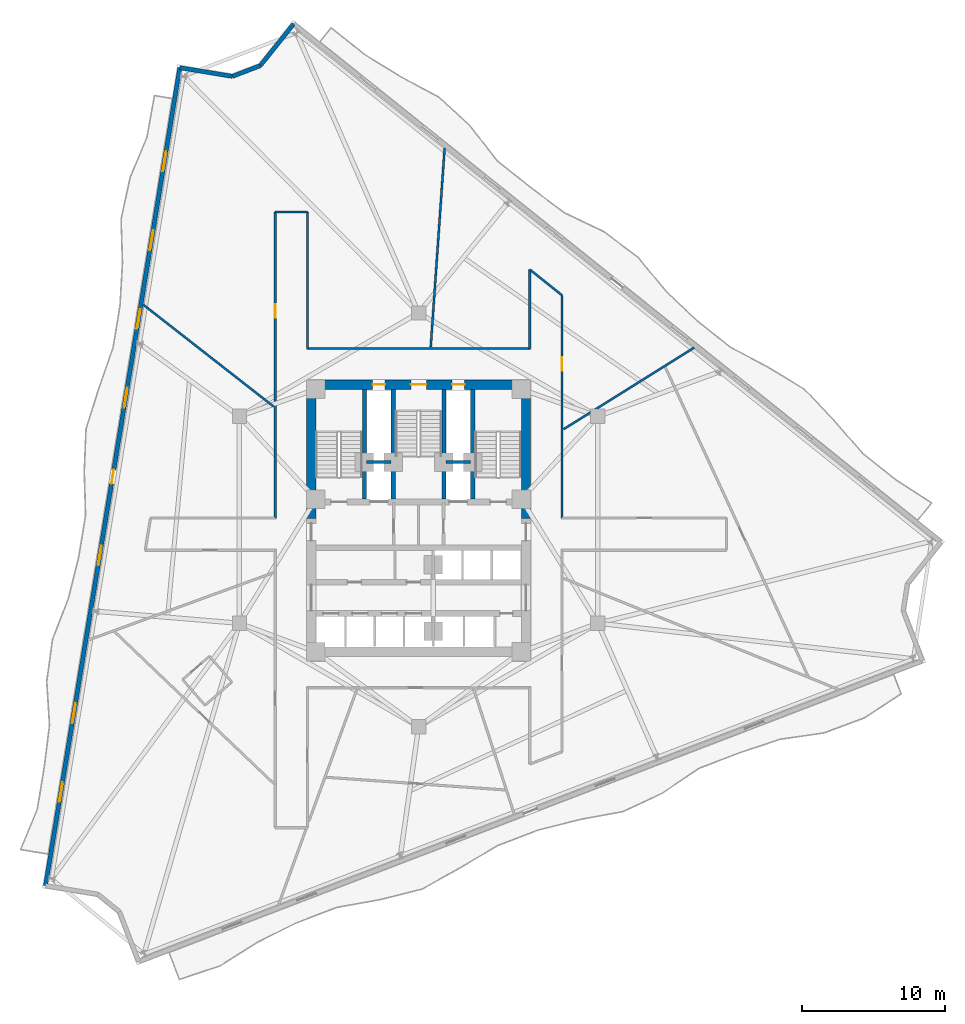
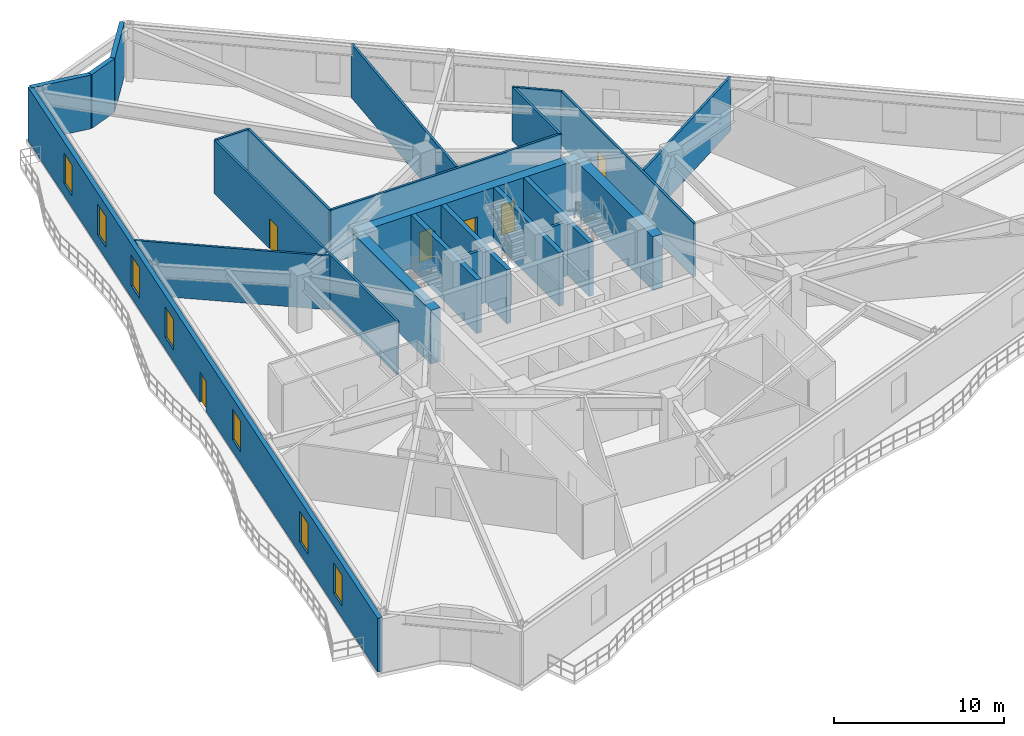
# One storey, part 6 of 11: 23 walls, 7 windows, 6 doors, 13 openings.
"""IFC4 building model written with IfcOpenShell, lengths in metres."""

from ifc_helpers import new_model, si_unit, direction, frame, frame_2d, origin, place, context, subcontext, project, spatial, rectangle, extrude, material, layer, layer_set, type_object, element, fill, save


model = new_model("IFC4")

# Units and contexts
model_context = context("Model", 3, precision=1e-05, world=origin(), true_north=direction((0.0, 1.0)))
body_context = subcontext(model_context, "Body", "Model", "MODEL_VIEW")
ifc_project = project(units=[si_unit("LENGTHUNIT", "METRE"), si_unit("AREAUNIT", "SQUARE_METRE"), si_unit("VOLUMEUNIT", "CUBIC_METRE"), si_unit("PLANEANGLEUNIT", "RADIAN"), si_unit("MASSUNIT", "GRAM", prefix="KILO")], contexts=[model_context])

# Site, building, storey
site_placement = place(None, origin())
site = spatial("IfcSite", under=ifc_project, at=site_placement, CompositionType="ELEMENT")
building_placement = place(site_placement, origin())
building = spatial("IfcBuilding", under=site, at=building_placement, Name="Apsidion Concourse Tower", CompositionType="ELEMENT")
storey_placement = place(building_placement, frame((0.0, 0.0, 132.199951171875)))
storey = spatial("IfcBuildingStorey", under=building, at=storey_placement, Name="L30", CompositionType="ELEMENT", Elevation=132.199951171875)

# Wall, openings, door, windows
ifc_material_1 = material(Name="Precast concrete C40/50", Category="concrete")
ifc_layer_1 = layer(ifc_material_1, 0.300048828125)
ifc_layer_set_1 = layer_set([ifc_layer_1], Name="Precast concrete C40/50")
wall_type_1 = type_object("IfcWallType", Name="WL-EXT-300", PredefinedType="STANDARD", material=ifc_layer_set_1)
wall_1_placement = place(storey_placement, frame((-26.149658203125, -25.64013671875, 0.0), z_axis=(0.0, 0.0, 1.0), x_axis=(0.161975761987, 0.986794736776, 0.0)))
wall_1 = element("IfcWall", 1, at=wall_1_placement, inside=storey, type_object=wall_type_1, Name="L30 Precast Stone Facade Wall 09", PredefinedType="STANDARD", context=body_context, shape_type="SweptSolid", body=[
    extrude(rectangle(XDim=58.093017578125, YDim=0.300048828125, at=frame_2d((29.04638671875, 0.0))), origin(), (0.0, 0.0, 1.0), 3.85009765625),
])
opening_1_placement = place(wall_1_placement, frame((28.54638671875, 0.0, 0.0)))
opening_1 = element("IfcOpeningElement", 2, at=opening_1_placement, cuts=wall_1, Name="Opening D-T1L", PredefinedType="OPENING", context=body_context, shape_type="SweptSolid", body=[
    extrude(rectangle(XDim=1.0, YDim=2.14990234375, at=frame_2d((0.5, 1.074951171875))), frame((0.0, 0.16015625, 0.0), z_axis=(0.0, -1.0, 0.0), x_axis=(1.0, 0.0, 0.0)), (0.0, 0.0, 1.0), 0.320068359375),
])
opening_2_placement = place(wall_1_placement, frame((5.946533203125, 0.0, 0.85009765625)))
opening_2 = element("IfcOpeningElement", 3, at=opening_2_placement, cuts=wall_1, Name="Opening WN-05", PredefinedType="OPENING", context=body_context, shape_type="SweptSolid", body=[
    extrude(rectangle(XDim=1.39990234375, YDim=2.199951171875, at=frame_2d((0.699951171875, 1.10009765625))), frame((0.0, 0.16015625, 0.0), z_axis=(0.0, -1.0, 0.0), x_axis=(1.0, 0.0, 0.0)), (0.0, 0.0, 1.0), 0.320068359375),
])
opening_3_placement = place(wall_1_placement, frame((11.54638671875, 0.0, 0.85009765625)))
opening_3 = element("IfcOpeningElement", 4, at=opening_3_placement, cuts=wall_1, Name="Opening WN-05", PredefinedType="OPENING", context=body_context, shape_type="SweptSolid", body=[
    extrude(rectangle(XDim=1.39990234375, YDim=2.199951171875, at=frame_2d((0.699951171875, 1.10009765625))), frame((0.0, 0.16015625, 0.0), z_axis=(0.0, -1.0, 0.0), x_axis=(1.0, 0.0, 0.0)), (0.0, 0.0, 1.0), 0.320068359375),
])
opening_4_placement = place(wall_1_placement, frame((22.74658203125, 0.0, 0.85009765625)))
opening_4 = element("IfcOpeningElement", 5, at=opening_4_placement, cuts=wall_1, Name="Opening WN-05", PredefinedType="OPENING", context=body_context, shape_type="SweptSolid", body=[
    extrude(rectangle(XDim=1.39990234375, YDim=2.199951171875, at=frame_2d((0.699951171875, 1.10009765625))), frame((0.0, 0.16015625, 0.0), z_axis=(0.0, -1.0, 0.0), x_axis=(1.0, 0.0, 0.0)), (0.0, 0.0, 1.0), 0.320068359375),
])
opening_5_placement = place(wall_1_placement, frame((33.946533203125, 0.0, 0.85009765625)))
opening_5 = element("IfcOpeningElement", 6, at=opening_5_placement, cuts=wall_1, Name="Opening WN-05", PredefinedType="OPENING", context=body_context, shape_type="SweptSolid", body=[
    extrude(rectangle(XDim=1.39990234375, YDim=2.199951171875, at=frame_2d((0.699951171875, 1.10009765625))), frame((0.0, 0.16015625, 0.0), z_axis=(0.0, -1.0, 0.0), x_axis=(1.0, 0.0, 0.0)), (0.0, 0.0, 1.0), 0.320068359375),
])
opening_6_placement = place(wall_1_placement, frame((39.54638671875, 0.0, 0.85009765625)))
opening_6 = element("IfcOpeningElement", 7, at=opening_6_placement, cuts=wall_1, Name="Opening WN-05", PredefinedType="OPENING", context=body_context, shape_type="SweptSolid", body=[
    extrude(rectangle(XDim=1.39990234375, YDim=2.199951171875, at=frame_2d((0.699951171875, 1.10009765625))), frame((0.0, 0.16015625, 0.0), z_axis=(0.0, -1.0, 0.0), x_axis=(1.0, 0.0, 0.0)), (0.0, 0.0, 1.0), 0.320068359375),
])
opening_7_placement = place(wall_1_placement, frame((45.146484375, 0.0, 0.85009765625)))
opening_7 = element("IfcOpeningElement", 8, at=opening_7_placement, cuts=wall_1, Name="Opening WN-05", PredefinedType="OPENING", context=body_context, shape_type="SweptSolid", body=[
    extrude(rectangle(XDim=1.39990234375, YDim=2.199951171875, at=frame_2d((0.699951171875, 1.10009765625))), frame((0.0, 0.16015625, 0.0), z_axis=(0.0, -1.0, 0.0), x_axis=(1.0, 0.0, 0.0)), (0.0, 0.0, 1.0), 0.320068359375),
])
opening_8_placement = place(wall_1_placement, frame((50.74658203125, 0.0, 0.85009765625)))
opening_8 = element("IfcOpeningElement", 9, at=opening_8_placement, cuts=wall_1, Name="Opening WN-05", PredefinedType="OPENING", context=body_context, shape_type="SweptSolid", body=[
    extrude(rectangle(XDim=1.39990234375, YDim=2.199951171875, at=frame_2d((0.699951171875, 1.10009765625))), frame((0.0, 0.16015625, 0.0), z_axis=(0.0, -1.0, 0.0), x_axis=(1.0, 0.0, 0.0)), (0.0, 0.0, 1.0), 0.320068359375),
])
ifc_material_2 = material(Name="Anodised aluminium EN AW-6063 T6", Category="aluminium")
door_type_1 = type_object("IfcDoorType", Name="DR-TER-1022L", OperationType="SINGLE_SWING_LEFT", PredefinedType="DOOR", material=ifc_material_2)
door_1_placement = place(opening_1_placement, origin())
door_1 = element("IfcDoor", 10, at=door_1_placement, inside=storey, type_object=door_type_1, Name="L30 Balcony Access Door 1", OperationType="SINGLE_SWING_LEFT", OverallHeight=2.14990234375, OverallWidth=1.0, PredefinedType="DOOR", context=body_context, shape_type="SweptSolid", body=[
    extrude(rectangle(XDim=1.0, YDim=2.14990234375, at=frame_2d((0.5, 1.074951171875))), frame((0.0, 0.02490234375, 0.0), z_axis=(0.0, -1.0, 0.0), x_axis=(1.0, 0.0, 0.0)), (0.0, 0.0, 1.0), 0.050048828125),
])
fill(opening_1, door_1)
ifc_material_3 = material(Name="Insulated laminated low-E glass", Category="glass")
window_type = type_object("IfcWindowType", Name="WN-OFF-1424", PartitioningType="SINGLE_PANEL", PredefinedType="WINDOW", material=ifc_material_3)
window_1_placement = place(opening_2_placement, origin())
window_1 = element("IfcWindow", 11, at=window_1_placement, inside=storey, type_object=window_type, Name="L30 Punched Facade Window 9-01", OverallHeight=2.199951171875, OverallWidth=1.39990234375, PartitioningType="SINGLE_PANEL", PredefinedType="WINDOW", context=body_context, shape_type="SweptSolid", body=[
    extrude(rectangle(XDim=1.39990234375, YDim=2.199951171875, at=frame_2d((0.699951171875, 1.10009765625))), frame((0.0, 0.030029296875, 0.0), z_axis=(0.0, -1.0, 0.0), x_axis=(1.0, 0.0, 0.0)), (0.0, 0.0, 1.0), 0.06005859375),
])
fill(opening_2, window_1)
window_2_placement = place(opening_3_placement, origin())
window_2 = element("IfcWindow", 12, at=window_2_placement, inside=storey, type_object=window_type, Name="L30 Punched Facade Window 9-02", OverallHeight=2.199951171875, OverallWidth=1.39990234375, PartitioningType="SINGLE_PANEL", PredefinedType="WINDOW", context=body_context, shape_type="SweptSolid", body=[
    extrude(rectangle(XDim=1.39990234375, YDim=2.199951171875, at=frame_2d((0.699951171875, 1.10009765625))), frame((0.0, 0.030029296875, 0.0), z_axis=(0.0, -1.0, 0.0), x_axis=(1.0, 0.0, 0.0)), (0.0, 0.0, 1.0), 0.06005859375),
])
fill(opening_3, window_2)
window_3_placement = place(opening_4_placement, origin())
window_3 = element("IfcWindow", 13, at=window_3_placement, inside=storey, type_object=window_type, Name="L30 Punched Facade Window 9-04", OverallHeight=2.199951171875, OverallWidth=1.39990234375, PartitioningType="SINGLE_PANEL", PredefinedType="WINDOW", context=body_context, shape_type="SweptSolid", body=[
    extrude(rectangle(XDim=1.39990234375, YDim=2.199951171875, at=frame_2d((0.699951171875, 1.10009765625))), frame((0.0, 0.030029296875, 0.0), z_axis=(0.0, -1.0, 0.0), x_axis=(1.0, 0.0, 0.0)), (0.0, 0.0, 1.0), 0.06005859375),
])
fill(opening_4, window_3)
window_4_placement = place(opening_5_placement, origin())
window_4 = element("IfcWindow", 14, at=window_4_placement, inside=storey, type_object=window_type, Name="L30 Punched Facade Window 9-06", OverallHeight=2.199951171875, OverallWidth=1.39990234375, PartitioningType="SINGLE_PANEL", PredefinedType="WINDOW", context=body_context, shape_type="SweptSolid", body=[
    extrude(rectangle(XDim=1.39990234375, YDim=2.199951171875, at=frame_2d((0.699951171875, 1.10009765625))), frame((0.0, 0.030029296875, 0.0), z_axis=(0.0, -1.0, 0.0), x_axis=(1.0, 0.0, 0.0)), (0.0, 0.0, 1.0), 0.06005859375),
])
fill(opening_5, window_4)
window_5_placement = place(opening_6_placement, origin())
window_5 = element("IfcWindow", 15, at=window_5_placement, inside=storey, type_object=window_type, Name="L30 Punched Facade Window 9-07", OverallHeight=2.199951171875, OverallWidth=1.39990234375, PartitioningType="SINGLE_PANEL", PredefinedType="WINDOW", context=body_context, shape_type="SweptSolid", body=[
    extrude(rectangle(XDim=1.39990234375, YDim=2.199951171875, at=frame_2d((0.699951171875, 1.10009765625))), frame((0.0, 0.030029296875, 0.0), z_axis=(0.0, -1.0, 0.0), x_axis=(1.0, 0.0, 0.0)), (0.0, 0.0, 1.0), 0.06005859375),
])
fill(opening_6, window_5)
window_6_placement = place(opening_7_placement, origin())
window_6 = element("IfcWindow", 16, at=window_6_placement, inside=storey, type_object=window_type, Name="L30 Punched Facade Window 9-08", OverallHeight=2.199951171875, OverallWidth=1.39990234375, PartitioningType="SINGLE_PANEL", PredefinedType="WINDOW", context=body_context, shape_type="SweptSolid", body=[
    extrude(rectangle(XDim=1.39990234375, YDim=2.199951171875, at=frame_2d((0.699951171875, 1.10009765625))), frame((0.0, 0.030029296875, 0.0), z_axis=(0.0, -1.0, 0.0), x_axis=(1.0, 0.0, 0.0)), (0.0, 0.0, 1.0), 0.06005859375),
])
fill(opening_7, window_6)
window_7_placement = place(opening_8_placement, origin())
window_7 = element("IfcWindow", 17, at=window_7_placement, inside=storey, type_object=window_type, Name="L30 Punched Facade Window 9-09", OverallHeight=2.199951171875, OverallWidth=1.39990234375, PartitioningType="SINGLE_PANEL", PredefinedType="WINDOW", context=body_context, shape_type="SweptSolid", body=[
    extrude(rectangle(XDim=1.39990234375, YDim=2.199951171875, at=frame_2d((0.699951171875, 1.10009765625))), frame((0.0, 0.030029296875, 0.0), z_axis=(0.0, -1.0, 0.0), x_axis=(1.0, 0.0, 0.0)), (0.0, 0.0, 1.0), 0.06005859375),
])
fill(opening_8, window_7)

# Walls
wall_2_placement = place(storey_placement, frame((-16.739990234375, 31.685791015625, 0.0), z_axis=(0.0, 0.0, 1.0), x_axis=(0.986793455184, -0.161983569556, 0.0)))
element("IfcWall", 18, at=wall_2_placement, inside=storey, type_object=wall_type_1, Name="L30 Precast Stone Facade Wall 10", PredefinedType="STANDARD", context=body_context, shape_type="SweptSolid", body=[
    extrude(rectangle(XDim=3.73779296875, YDim=0.300048828125, at=frame_2d((1.868896484375, 0.0))), origin(), (0.0, 0.0, 1.0), 3.85009765625),
])
wall_3_placement = place(storey_placement, frame((-13.051513671875, 31.080322265625, 0.0), z_axis=(0.0, 0.0, 1.0), x_axis=(0.933582919313, 0.35836145547, 0.0)))
element("IfcWall", 19, at=wall_3_placement, inside=storey, type_object=wall_type_1, Name="L30 Precast Stone Facade Wall 11", PredefinedType="STANDARD", context=body_context, shape_type="SweptSolid", body=[
    extrude(rectangle(XDim=2.0927734375, YDim=0.300048828125, at=frame_2d((1.04638671875, 0.0))), origin(), (0.0, 0.0, 1.0), 3.85009765625),
])
wall_4_placement = place(storey_placement, frame((-11.09765625, 31.830322265625, 0.0), z_axis=(0.0, 0.0, 1.0), x_axis=(0.624949908599, 0.78066485238, 0.0)))
element("IfcWall", 20, at=wall_4_placement, inside=storey, type_object=wall_type_1, Name="L30 Precast Stone Facade Wall 12", PredefinedType="STANDARD", context=body_context, shape_type="SweptSolid", body=[
    extrude(rectangle(XDim=3.73779296875, YDim=0.300048828125, at=frame_2d((1.868896484375, 0.0))), origin(), (0.0, 0.0, 1.0), 3.85009765625),
])

# Wall, opening, door
ifc_material_4 = material(Name="Gypsum plasterboard partition")
ifc_layer_2 = layer(ifc_material_4, 0.14990234375)
ifc_layer_set_2 = layer_set([ifc_layer_2], Name="Gypsum plasterboard partition")
wall_type_2 = type_object("IfcWallType", Name="WL-INT-PAR-150", PredefinedType="PARTITIONING", material=ifc_layer_set_2)
wall_5_placement = place(storey_placement, frame((-10.050048828125, 0.1298828125, 0.0), z_axis=(0.0, 0.0, 1.0), x_axis=(0.0, 1.0, 0.0)))
wall_5 = element("IfcWall", 21, at=wall_5_placement, inside=storey, type_object=wall_type_2, Name="L30 Interior Partition WL-L30-CORR-10", PredefinedType="PARTITIONING", context=body_context, shape_type="SweptSolid", body=[
    extrude(rectangle(XDim=21.4501953125, YDim=0.14990234375, at=frame_2d((10.72509765625, 0.0))), origin(), (0.0, 0.0, 1.0), 3.85009765625),
])
opening_9_placement = place(wall_5_placement, frame((14.025146484375, 0.0, 0.0)))
opening_9 = element("IfcOpeningElement", 22, at=opening_9_placement, cuts=wall_5, Name="Opening D-01L", PredefinedType="OPENING", context=body_context, shape_type="SweptSolid", body=[
    extrude(rectangle(XDim=0.949951171875, YDim=2.14990234375, at=frame_2d((0.47509765625, 1.074951171875))), frame((0.0, 0.0849609375, 0.0), z_axis=(0.0, -1.0, 0.0), x_axis=(1.0, 0.0, 0.0)), (0.0, 0.0, 1.0), 0.169921875),
])
ifc_material_5 = material(Name="Brushed stainless steel 316", Category="steel")
door_type_2 = type_object("IfcDoorType", Name="DR-INT-D01L", OperationType="SINGLE_SWING_LEFT", PredefinedType="DOOR", material=ifc_material_5)
door_2_placement = place(opening_9_placement, origin())
door_2 = element("IfcDoor", 23, at=door_2_placement, inside=storey, type_object=door_type_2, Name="L30 Corridor Entry Door 07", OperationType="SINGLE_SWING_LEFT", OverallHeight=2.14990234375, OverallWidth=0.949951171875, PredefinedType="DOOR", context=body_context, shape_type="SweptSolid", body=[
    extrude(rectangle(XDim=0.949951171875, YDim=2.14990234375, at=frame_2d((0.47509765625, 1.074951171875))), frame((0.0, 0.02490234375, 0.0), z_axis=(0.0, -1.0, 0.0), x_axis=(1.0, 0.0, 0.0)), (0.0, 0.0, 1.0), 0.050048828125),
])
fill(opening_9, door_2)

# Walls
wall_6_placement = place(storey_placement, frame((-10.050048828125, 21.580078125, 0.0), z_axis=(0.0, 0.0, 1.0), x_axis=(1.0, 0.0, 0.0)))
element("IfcWall", 24, at=wall_6_placement, inside=storey, type_object=wall_type_2, Name="L30 Interior Partition WL-L30-CORR-11", PredefinedType="PARTITIONING", context=body_context, shape_type="SweptSolid", body=[
    extrude(rectangle(XDim=2.260009765625, YDim=0.14990234375, at=frame_2d((1.1298828125, 0.0))), origin(), (0.0, 0.0, 1.0), 3.85009765625),
])
wall_7_placement = place(storey_placement, frame((-7.7900390625, 21.580078125, 0.0), z_axis=(0.0, 0.0, 1.0), x_axis=(0.0, -1.0, 0.0)))
element("IfcWall", 25, at=wall_7_placement, inside=storey, type_object=wall_type_2, Name="L30 Interior Partition WL-L30-CORR-12", PredefinedType="PARTITIONING", context=body_context, shape_type="SweptSolid", body=[
    extrude(rectangle(XDim=9.580078125, YDim=0.14990234375, at=frame_2d((4.7900390625, 0.0))), origin(), (0.0, 0.0, 1.0), 3.85009765625),
])
wall_8_placement = place(storey_placement, frame((-7.7900390625, 12.0, 0.0), z_axis=(0.0, 0.0, 1.0), x_axis=(1.0, 0.0, 0.0)))
element("IfcWall", 26, at=wall_8_placement, inside=storey, type_object=wall_type_2, Name="L30 Interior Partition WL-L30-CORR-13", PredefinedType="PARTITIONING", context=body_context, shape_type="SweptSolid", body=[
    extrude(rectangle(XDim=15.580078125, YDim=0.14990234375, at=frame_2d((7.7900390625, 0.0))), origin(), (0.0, 0.0, 1.0), 3.85009765625),
])
wall_9_placement = place(storey_placement, frame((7.7900390625, 12.0, 0.0), z_axis=(0.0, 0.0, 1.0), x_axis=(0.0, 1.0, 0.0)))
element("IfcWall", 27, at=wall_9_placement, inside=storey, type_object=wall_type_2, Name="L30 Interior Partition WL-L30-CORR-14", PredefinedType="PARTITIONING", context=body_context, shape_type="SweptSolid", body=[
    extrude(rectangle(XDim=5.546630859375, YDim=0.14990234375, at=frame_2d((2.7734375, 0.0))), origin(), (0.0, 0.0, 1.0), 3.85009765625),
])
wall_10_placement = place(storey_placement, frame((7.7900390625, 17.546630859375, 0.0), z_axis=(0.0, 0.0, 1.0), x_axis=(0.780646621428, -0.624972681366, 0.0)))
element("IfcWall", 28, at=wall_10_placement, inside=storey, type_object=wall_type_2, Name="L30 Interior Partition WL-L30-CORR-15", PredefinedType="PARTITIONING", context=body_context, shape_type="SweptSolid", body=[
    extrude(rectangle(XDim=2.89501953125, YDim=0.14990234375, at=frame_2d((1.447509765625, 0.0))), origin(), (0.0, 0.0, 1.0), 3.85009765625),
])

# Wall, opening, door
wall_11_placement = place(storey_placement, frame((10.050048828125, 15.7373046875, 0.0), z_axis=(0.0, 0.0, 1.0), x_axis=(0.0, -1.0, 0.0)))
wall_11 = element("IfcWall", 29, at=wall_11_placement, inside=storey, type_object=wall_type_2, Name="L30 Interior Partition WL-L30-CORR-16", PredefinedType="PARTITIONING", context=body_context, shape_type="SweptSolid", body=[
    extrude(rectangle(XDim=15.607421875, YDim=0.14990234375, at=frame_2d((7.8037109375, 0.0))), origin(), (0.0, 0.0, 1.0), 3.85009765625),
])
opening_10_placement = place(wall_11_placement, frame((4.34912109375, 0.0, 0.0)))
opening_10 = element("IfcOpeningElement", 30, at=opening_10_placement, cuts=wall_11, Name="Opening D-01R", PredefinedType="OPENING", context=body_context, shape_type="SweptSolid", body=[
    extrude(rectangle(XDim=0.949951171875, YDim=2.14990234375, at=frame_2d((0.47509765625, 1.074951171875))), frame((0.0, 0.0849609375, 0.0), z_axis=(0.0, -1.0, 0.0), x_axis=(1.0, 0.0, 0.0)), (0.0, 0.0, 1.0), 0.169921875),
])
door_type_3 = type_object("IfcDoorType", Name="DR-INT-D01R", OperationType="SINGLE_SWING_RIGHT", PredefinedType="DOOR", material=ifc_material_5)
door_3_placement = place(opening_10_placement, origin())
door_3 = element("IfcDoor", 31, at=door_3_placement, inside=storey, type_object=door_type_3, Name="L30 Corridor Entry Door 06", OperationType="SINGLE_SWING_RIGHT", OverallHeight=2.14990234375, OverallWidth=0.949951171875, PredefinedType="DOOR", context=body_context, shape_type="SweptSolid", body=[
    extrude(rectangle(XDim=0.949951171875, YDim=2.14990234375, at=frame_2d((0.47509765625, 1.074951171875))), frame((0.0, 0.02490234375, 0.0), z_axis=(0.0, -1.0, 0.0), x_axis=(1.0, 0.0, 0.0)), (0.0, 0.0, 1.0), 0.050048828125),
])
fill(opening_10, door_3)

# Walls
wall_12_placement = place(storey_placement, frame((10.155029296875, 6.345458984375, 0.0), z_axis=(0.0, 0.0, 1.0), x_axis=(0.848042773612, 0.52992778199, 0.0)))
element("IfcWall", 32, at=wall_12_placement, inside=storey, type_object=wall_type_2, Name="L30 Interior Partition WL-L30-RAD-01-1", PredefinedType="PARTITIONING", context=body_context, shape_type="SweptSolid", body=[
    extrude(rectangle(XDim=10.79443359375, YDim=0.14990234375, at=frame_2d((5.397216796875, 0.0))), origin(), (0.0, 0.0, 1.0), 3.85009765625),
])
wall_13_placement = place(storey_placement, frame((0.846435546875, 12.10498046875, 0.0), z_axis=(0.0, 0.0, 1.0), x_axis=(0.069754122886, 0.997564214645, 0.0)))
element("IfcWall", 33, at=wall_13_placement, inside=storey, type_object=wall_type_2, Name="L30 Interior Partition WL-L30-RAD-02-1", PredefinedType="PARTITIONING", context=body_context, shape_type="SweptSolid", body=[
    extrude(rectangle(XDim=13.9931640625, YDim=0.14990234375, at=frame_2d((6.99658203125, 0.0))), origin(), (0.0, 0.0, 1.0), 3.85009765625),
])
wall_14_placement = place(storey_placement, frame((-10.155029296875, 7.93408203125, 0.0), z_axis=(0.0, 0.0, 1.0), x_axis=(-0.788015761104, 0.615655065967, 0.0)))
element("IfcWall", 34, at=wall_14_placement, inside=storey, type_object=wall_type_2, Name="L30 Interior Partition WL-L30-RAD-03-1", PredefinedType="PARTITIONING", context=body_context, shape_type="SweptSolid", body=[
    extrude(rectangle(XDim=11.603515625, YDim=0.14990234375, at=frame_2d((5.8017578125, 0.0))), origin(), (0.0, 0.0, 1.0), 3.85009765625),
])
ifc_layer_3 = layer(ifc_material_4, 0.199951171875)
ifc_layer_set_3 = layer_set([ifc_layer_3], Name="Gypsum plasterboard partition")
wall_type_3 = type_object("IfcWallType", Name="WL-INT-PAR-200", PredefinedType="PARTITIONING", material=ifc_layer_set_3)
for number, where, z_axis, x_axis, name in (
    (35, (-3.64990234375, 4.050048828125, 0.0), (0.0, 0.0, 1.0), (1.0, 0.0, 0.0), "L30 Interior Partition WL-L30-FF1-N"),
    (36, (1.919921875, 4.050048828125, 0.0), (0.0, 0.0, 1.0), (1.0, 0.0, 0.0), "L30 Interior Partition WL-L30-FF2-N"),
):
    element("IfcWall", number, at=place(storey_placement, frame(where, z_axis=z_axis, x_axis=x_axis)), inside=storey, type_object=wall_type_3, Name=name, PredefinedType="PARTITIONING", context=body_context, shape_type="SweptSolid", body=[
        extrude(rectangle(XDim=1.72998046875, YDim=0.199951171875, at=frame_2d((0.864990234375, 0.0))), origin(), (0.0, 0.0, 1.0), 3.85009765625),
    ])
ifc_material_6 = material(Name="Concrete C50/60", Category="concrete")
ifc_layer_4 = layer(ifc_material_6, 0.300048828125)
ifc_layer_set_4 = layer_set([ifc_layer_4], Name="Concrete C50/60")
wall_type_4 = type_object("IfcWallType", Name="WL-SH-300", PredefinedType="SHEAR", material=ifc_layer_set_4)
for number, where, z_axis, x_axis, name in (
    (37, (-3.800048828125, 1.449951171875, 0.0), (0.0, 0.0, 1.0), (0.0, 1.0, 0.0), "L30 Central Core Shear Wall V1"),
    (38, (-1.77490234375, 1.449951171875, 0.0), (0.0, 0.0, 1.0), (0.0, 1.0, 0.0), "L30 Central Core Shear Wall V2"),
    (39, (1.77490234375, 1.449951171875, 0.0), (0.0, 0.0, 1.0), (0.0, 1.0, 0.0), "L30 Central Core Shear Wall V3"),
    (40, (3.800048828125, 1.449951171875, 0.0), (0.0, 0.0, 1.0), (0.0, 1.0, 0.0), "L30 Central Core Shear Wall V4"),
):
    element("IfcWall", number, at=place(storey_placement, frame(where, z_axis=z_axis, x_axis=x_axis)), inside=storey, type_object=wall_type_4, Name=name, PredefinedType="SHEAR", context=body_context, shape_type="SweptSolid", body=[
        extrude(rectangle(XDim=7.699951171875, YDim=0.300048828125, at=frame_2d((3.85009765625, 0.0))), origin(), (0.0, 0.0, 1.0), 3.85009765625),
    ])

# Wall, openings, doors
ifc_layer_5 = layer(ifc_material_6, 0.64990234375)
ifc_layer_set_5 = layer_set([ifc_layer_5], Name="Concrete C50/60")
wall_type_5 = type_object("IfcWallType", Name="WL-SH-650", PredefinedType="SHEAR", material=ifc_layer_set_5)
wall_15_placement = place(storey_placement, frame((-7.52490234375, 9.47509765625, 0.0), z_axis=(0.0, 0.0, 1.0), x_axis=(1.0, 0.0, 0.0)))
wall_15 = element("IfcWall", 41, at=wall_15_placement, inside=storey, type_object=wall_type_5, Name="L30 Central Core Shear Wall N", PredefinedType="SHEAR", context=body_context, shape_type="SweptSolid", body=[
    extrude(rectangle(XDim=15.0498046875, YDim=0.64990234375, at=frame_2d((7.52490234375, 0.0))), origin(), (0.0, 0.0, 1.0), 3.85009765625),
])
opening_11_placement = place(wall_15_placement, frame((6.97509765625, 0.0, 0.0)))
opening_11 = element("IfcOpeningElement", 42, at=opening_11_placement, cuts=wall_15, Name="Opening D-STL", PredefinedType="OPENING", context=body_context, shape_type="SweptSolid", body=[
    extrude(rectangle(XDim=1.10009765625, YDim=2.14990234375, at=frame_2d((0.550048828125, 1.074951171875))), frame((0.0, 0.3349609375, 0.0), z_axis=(0.0, -1.0, 0.0), x_axis=(1.0, 0.0, 0.0)), (0.0, 0.0, 1.0), 0.669921875),
])
opening_12_placement = place(wall_15_placement, frame((4.304931640625, 0.0, 0.0)))
opening_12 = element("IfcOpeningElement", 43, at=opening_12_placement, cuts=wall_15, Name="Opening D-05L", PredefinedType="OPENING", context=body_context, shape_type="SweptSolid", body=[
    extrude(rectangle(XDim=0.8798828125, YDim=2.14990234375, at=frame_2d((0.43994140625, 1.074951171875))), frame((0.0, 0.3349609375, 0.0), z_axis=(0.0, -1.0, 0.0), x_axis=(1.0, 0.0, 0.0)), (0.0, 0.0, 1.0), 0.669921875),
])
opening_13_placement = place(wall_15_placement, frame((9.864990234375, 0.0, 0.0)))
opening_13 = element("IfcOpeningElement", 44, at=opening_13_placement, cuts=wall_15, Name="Opening D-05R", PredefinedType="OPENING", context=body_context, shape_type="SweptSolid", body=[
    extrude(rectangle(XDim=0.8798828125, YDim=2.14990234375, at=frame_2d((0.43994140625, 1.074951171875))), frame((0.0, 0.3349609375, 0.0), z_axis=(0.0, -1.0, 0.0), x_axis=(1.0, 0.0, 0.0)), (0.0, 0.0, 1.0), 0.669921875),
])
door_type_4 = type_object("IfcDoorType", Name="DR-INT-D05L", OperationType="SINGLE_SWING_LEFT", PredefinedType="DOOR", material=ifc_material_5)
door_4_placement = place(opening_12_placement, origin())
door_4 = element("IfcDoor", 45, at=door_4_placement, inside=storey, type_object=door_type_4, Name="L30 Electrical Riser Shaft Access Door", OperationType="SINGLE_SWING_LEFT", OverallHeight=2.14990234375, OverallWidth=0.8798828125, PredefinedType="DOOR", context=body_context, shape_type="SweptSolid", body=[
    extrude(rectangle(XDim=0.8798828125, YDim=2.14990234375, at=frame_2d((0.43994140625, 1.074951171875))), frame((0.0, 0.02490234375, 0.0), z_axis=(0.0, -1.0, 0.0), x_axis=(1.0, 0.0, 0.0)), (0.0, 0.0, 1.0), 0.050048828125),
])
fill(opening_12, door_4)
door_type_5 = type_object("IfcDoorType", Name="DR-INT-D05R", OperationType="SINGLE_SWING_RIGHT", PredefinedType="DOOR", material=ifc_material_5)
door_5_placement = place(opening_13_placement, origin())
door_5 = element("IfcDoor", 46, at=door_5_placement, inside=storey, type_object=door_type_5, Name="L30 Mechanical Riser Shaft Access Door", OperationType="SINGLE_SWING_RIGHT", OverallHeight=2.14990234375, OverallWidth=0.8798828125, PredefinedType="DOOR", context=body_context, shape_type="SweptSolid", body=[
    extrude(rectangle(XDim=0.8798828125, YDim=2.14990234375, at=frame_2d((0.43994140625, 1.074951171875))), frame((0.0, 0.02490234375, 0.0), z_axis=(0.0, -1.0, 0.0), x_axis=(1.0, 0.0, 0.0)), (0.0, 0.0, 1.0), 0.050048828125),
])
fill(opening_13, door_5)
door_type_6 = type_object("IfcDoorType", Name="DR-INT-ST1L", OperationType="SINGLE_SWING_LEFT", PredefinedType="DOOR", material=ifc_material_5)
door_6_placement = place(opening_11_placement, origin())
door_6 = element("IfcDoor", 47, at=door_6_placement, inside=storey, type_object=door_type_6, Name="L30 Core Exit Stair ST3 Door", OperationType="SINGLE_SWING_LEFT", OverallHeight=2.14990234375, OverallWidth=1.10009765625, PredefinedType="DOOR", context=body_context, shape_type="SweptSolid", body=[
    extrude(rectangle(XDim=1.10009765625, YDim=2.14990234375, at=frame_2d((0.550048828125, 1.074951171875))), frame((0.0, 0.02490234375, 0.0), z_axis=(0.0, -1.0, 0.0), x_axis=(1.0, 0.0, 0.0)), (0.0, 0.0, 1.0), 0.050048828125),
])
fill(opening_11, door_6)

# Walls
for number, where, z_axis, x_axis, name in (
    (48, (-7.52490234375, 0.10009765625, 0.0), (0.0, 0.0, 1.0), (0.0, 1.0, 0.0), "L30 Central Core Shear Wall WN"),
    (49, (7.52490234375, 0.10009765625, 0.0), (0.0, 0.0, 1.0), (0.0, 1.0, 0.0), "L30 Central Core Shear Wall EN"),
):
    element("IfcWall", number, at=place(storey_placement, frame(where, z_axis=z_axis, x_axis=x_axis)), inside=storey, type_object=wall_type_5, Name=name, PredefinedType="SHEAR", context=body_context, shape_type="SweptSolid", body=[
        extrude(rectangle(XDim=9.0498046875, YDim=0.64990234375, at=frame_2d((4.52490234375, 0.0))), origin(), (0.0, 0.0, 1.0), 3.85009765625),
    ])

save(model, "model.ifc")
